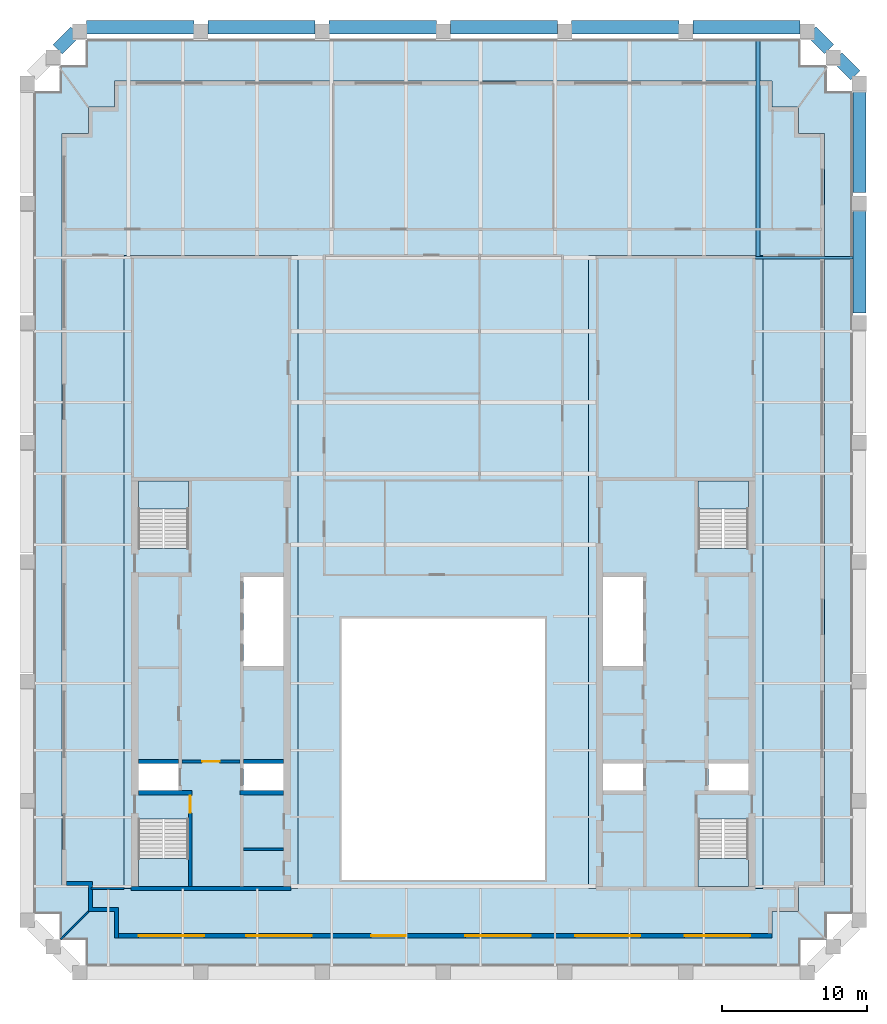
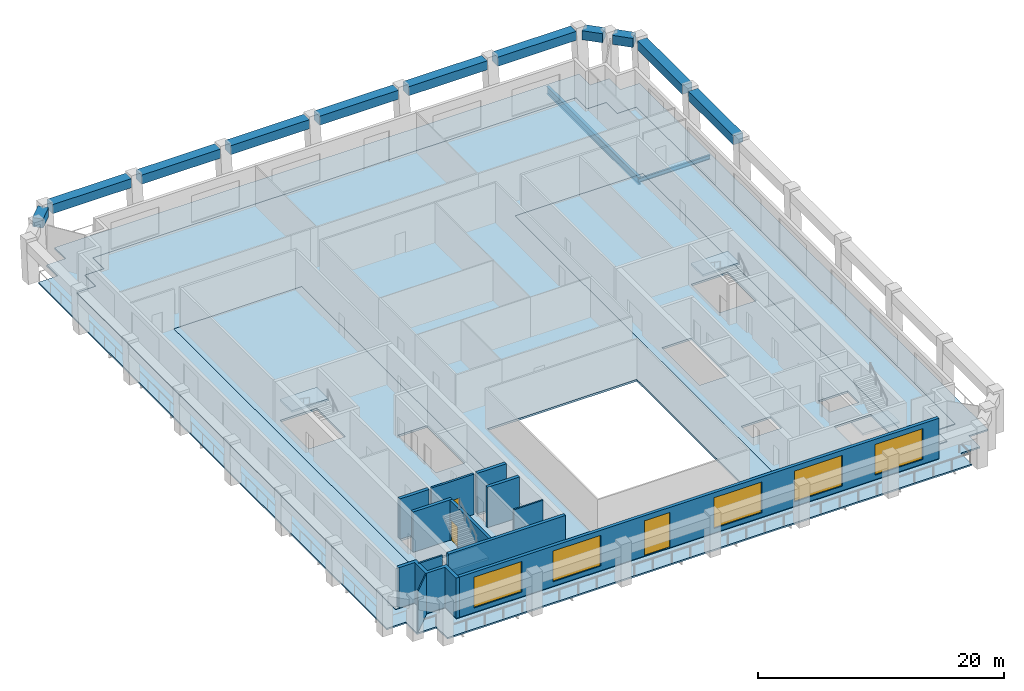
# One storey, part 2 of 7: 13 beams, 12 walls, 8 slabs, 5 windows, 3 doors, 8 openings, 4 elements without a shape of their own.
"""IFC4 building model written with IfcOpenShell, lengths in metres."""

from ifc_helpers import new_model, si_unit, direction, frame, frame_2d, origin, origin_2d, place, context, subcontext, project, spatial, polyline, rectangle, i_section, outline, extrude, material, layer, layer_set, material_profile, profile_set, type_object, element, fill, aggregate, save


model = new_model("IFC4")

# Units and contexts
model_context = context("Model", 3, precision=1e-05, world=origin(), true_north=direction((0.0, 1.0)))
body_context = subcontext(model_context, "Body", "Model", "MODEL_VIEW")
ifc_project = project(units=[si_unit("LENGTHUNIT", "METRE"), si_unit("AREAUNIT", "SQUARE_METRE"), si_unit("VOLUMEUNIT", "CUBIC_METRE"), si_unit("PLANEANGLEUNIT", "RADIAN"), si_unit("MASSUNIT", "GRAM", prefix="KILO")], contexts=[model_context])

# Site, building, storey
site_placement = place(None, origin())
site = spatial("IfcSite", under=ifc_project, at=site_placement, CompositionType="ELEMENT")
building_placement = place(site_placement, origin())
building = spatial("IfcBuilding", under=site, at=building_placement, Name="Ogive Exchange Tower", CompositionType="ELEMENT")
storey_placement = place(building_placement, frame((0.0, 0.0, 313.199951171875)))
storey = spatial("IfcBuildingStorey", under=building, at=storey_placement, Name="L68", CompositionType="ELEMENT", Elevation=313.199951171875)

# Beams
ifc_material_1 = material(Name="Steel ASTM A992 Gr50", Category="steel")
ifc_material_profile_1 = material_profile(ifc_material_1, i_section(OverallWidth=0.26708984375, OverallDepth=0.75390625, WebThickness=0.01318359375, FlangeThickness=0.01708984375, at=origin_2d()), Name="W760x147")
ifc_profile_set_1 = profile_set([ifc_material_profile_1], Name="Steel ASTM A992 Gr50")
beam_type_1 = type_object("IfcBeamType", Name="Floor beam W760x147", PredefinedType="JOIST", material=ifc_profile_set_1)
beam_1_placement = place(storey_placement, frame((21.672607421875, 40.93408203125, -0.576904296875), z_axis=(0.0, 1.0, 0.0), x_axis=(-1.0, 0.0, 0.0)))
element("IfcBeam", 1, at=beam_1_placement, inside=storey, type_object=beam_type_1, Name="Floor beam", PredefinedType="JOIST", context=body_context, shape_type="SweptSolid", body=[
    extrude(i_section(OverallWidth=0.26708984375, OverallDepth=0.75390625, WebThickness=0.01318359375, FlangeThickness=0.01708984375, at=origin_2d()), origin(), (0.0, 0.0, 1.0), 14.943115234375),
])
ifc_material_profile_2 = material_profile(ifc_material_1, i_section(OverallWidth=0.177978515625, OverallDepth=0.406005859375, WebThickness=0.0078125, FlangeThickness=0.0126953125, at=origin_2d()), Name="W410x60")
ifc_profile_set_2 = profile_set([ifc_material_profile_2], Name="Steel ASTM A992 Gr50")
beam_type_2 = type_object("IfcBeamType", Name="Girder W410x60", PredefinedType="BEAM", material=ifc_profile_set_2)
beam_2_placement = place(storey_placement, frame((21.47998046875, 40.844970703125, -0.40283203125), z_axis=(1.0, 0.0, 0.0), x_axis=(0.0, 1.0, 0.0)))
element("IfcBeam", 2, at=beam_2_placement, inside=storey, type_object=beam_type_2, Name="Header girder", PredefinedType="BEAM", context=body_context, shape_type="SweptSolid", body=[
    extrude(i_section(OverallWidth=0.177978515625, OverallDepth=0.406005859375, WebThickness=0.0078125, FlangeThickness=0.0126953125, at=origin_2d()), origin(), (0.0, 0.0, 1.0), 6.719970703125),
])
ifc_material_2 = material(Name="Precast concrete C70/85 (limestone faced)", Category="masonry")
ifc_material_profile_3 = material_profile(ifc_material_2, rectangle(XDim=0.89990234375, YDim=0.89990234375, at=origin_2d()), Name="900 x 900")
ifc_profile_set_3 = profile_set([ifc_material_profile_3], Name="Precast concrete C70/85 (limestone faced)")
beam_type_3 = type_object("IfcBeamType", Name="Precast spandrel 900 x 900 C70/85", PredefinedType="SPANDREL", material=ifc_profile_set_3)
for number, where, z_axis, x_axis, name in (
    (3, (28.64990234375, 37.043701171875, 3.5), (0.0, 1.0, 0.0), (-1.0, 0.0, 0.0), "Spandrel 14"),
    (4, (28.64990234375, 45.31640625, 3.5), (0.0, 1.0, 0.0), (-1.0, 0.0, 0.0), "Spandrel 15"),
):
    element("IfcBeam", number, at=place(storey_placement, frame(where, z_axis=z_axis, x_axis=x_axis)), inside=storey, type_object=beam_type_3, Name=name, PredefinedType="SPANDREL", context=body_context, shape_type="SweptSolid", body=[
        extrude(rectangle(XDim=0.89990234375, YDim=0.89990234375, at=origin_2d()), origin(), (0.0, 0.0, 1.0), 7.312744140625),
    ])
for number, where, z_axis, x_axis, name in (
    (5, (28.362060546875, 53.39697265625, 3.5), (-0.707106781187, 0.707106781187, 0.0), (-0.707106781187, -0.707106781187, 0.0), "Spandrel 16"),
    (6, (26.56201171875, 55.197021484375, 3.5), (-0.707106781187, 0.707106781187, 0.0), (-0.707106781187, -0.707106781187, 0.0), "Spandrel 17"),
):
    element("IfcBeam", number, at=place(storey_placement, frame(where, z_axis=z_axis, x_axis=x_axis)), inside=storey, type_object=beam_type_3, Name=name, PredefinedType="SPANDREL", context=body_context, shape_type="SweptSolid", body=[
        extrude(rectangle(XDim=0.89990234375, YDim=0.89990234375, at=origin_2d()), origin(), (0.0, 0.0, 1.0), 1.731201171875),
    ])
beam_3_placement = place(storey_placement, frame((24.570068359375, 56.708984375, 3.5), z_axis=(-1.0, 0.0, 0.0), x_axis=(0.0, -1.0, 0.0)))
element("IfcBeam", 7, at=beam_3_placement, inside=storey, type_object=beam_type_3, Name="Spandrel 18", PredefinedType="SPANDREL", context=body_context, shape_type="SweptSolid", body=[
    extrude(rectangle(XDim=0.89990234375, YDim=0.89990234375, at=origin_2d()), origin(), (0.0, 0.0, 1.0), 7.39013671875),
])
beam_4_placement = place(storey_placement, frame((16.219970703125, 56.708984375, 3.5), z_axis=(-1.0, 0.0, 0.0), x_axis=(0.0, -1.0, 0.0)))
element("IfcBeam", 8, at=beam_4_placement, inside=storey, type_object=beam_type_3, Name="Spandrel 19", PredefinedType="SPANDREL", context=body_context, shape_type="SweptSolid", body=[
    extrude(rectangle(XDim=0.89990234375, YDim=0.89990234375, at=origin_2d()), origin(), (0.0, 0.0, 1.0), 7.389892578125),
])
for number, where, z_axis, x_axis, name in (
    (9, (7.8701171875, 56.708984375, 3.5), (-1.0, 0.0, 0.0), (0.0, -1.0, 0.0), "Spandrel 20"),
    (10, (-0.47998046875, 56.708984375, 3.5), (-1.0, 0.0, 0.0), (0.0, -1.0, 0.0), "Spandrel 21"),
):
    element("IfcBeam", number, at=place(storey_placement, frame(where, z_axis=z_axis, x_axis=x_axis)), inside=storey, type_object=beam_type_3, Name=name, PredefinedType="SPANDREL", context=body_context, shape_type="SweptSolid", body=[
        extrude(rectangle(XDim=0.89990234375, YDim=0.89990234375, at=origin_2d()), origin(), (0.0, 0.0, 1.0), 7.39013671875),
    ])
beam_5_placement = place(storey_placement, frame((-8.830078125, 56.708984375, 3.5), z_axis=(-1.0, 0.0, 0.0), x_axis=(0.0, -1.0, 0.0)))
element("IfcBeam", 11, at=beam_5_placement, inside=storey, type_object=beam_type_3, Name="Spandrel 22", PredefinedType="SPANDREL", context=body_context, shape_type="SweptSolid", body=[
    extrude(rectangle(XDim=0.89990234375, YDim=0.89990234375, at=origin_2d()), origin(), (0.0, 0.0, 1.0), 7.389892578125),
])
beam_6_placement = place(storey_placement, frame((-17.179931640625, 56.708984375, 3.5), z_axis=(-1.0, 0.0, 0.0), x_axis=(0.0, -1.0, 0.0)))
element("IfcBeam", 12, at=beam_6_placement, inside=storey, type_object=beam_type_3, Name="Spandrel 23", PredefinedType="SPANDREL", context=body_context, shape_type="SweptSolid", body=[
    extrude(rectangle(XDim=0.89990234375, YDim=0.89990234375, at=origin_2d()), origin(), (0.0, 0.0, 1.0), 7.39013671875),
])
beam_7_placement = place(storey_placement, frame((-25.337890625, 56.421142578125, 3.5), z_axis=(-0.707106781187, -0.707106781187, 0.0), x_axis=(0.707106781187, -0.707106781187, 0.0)))
element("IfcBeam", 13, at=beam_7_placement, inside=storey, type_object=beam_type_3, Name="Spandrel 24", PredefinedType="SPANDREL", context=body_context, shape_type="SweptSolid", body=[
    extrude(rectangle(XDim=0.89990234375, YDim=0.89990234375, at=origin_2d()), origin(), (0.0, 0.0, 1.0), 1.731201171875),
])

# Slabs
ifc_material_3 = material(Name="Concrete C50/60", Category="concrete")
ifc_layer_1 = layer(ifc_material_3, 0.199951171875)
ifc_layer_set_1 = layer_set([ifc_layer_1], Name="Composite floor slab 200")
slab_type_1 = type_object("IfcSlabType", Name="Composite floor slab 200", PredefinedType="FLOOR", material=ifc_layer_set_1)
slab_1_placement = place(storey_placement, frame((0.0, 0.0, -0.199951171875)))
element("IfcSlab", 14, at=slab_1_placement, inside=storey, type_object=slab_type_1, Name="Composite floor slab", PredefinedType="FLOOR", context=body_context, shape_type="SweptSolid", body=[
    extrude(outline(polyline([(-22.64990234375, -4.199951171875), (-24.449951171875, -4.199951171875), (-24.449951171875, -2.39990234375), (-26.25, -2.39990234375), (-26.25, 49.39990234375), (-24.449951171875, 49.39990234375), (-24.449951171875, 51.199951171875), (-22.64990234375, 51.199951171875), (-22.64990234375, 53.0), (22.64990234375, 53.0), (22.64990234375, 51.199951171875), (24.449951171875, 51.199951171875), (24.449951171875, 49.39990234375), (26.25, 49.39990234375), (26.25, -2.39990234375), (24.449951171875, -2.39990234375), (24.449951171875, -4.199951171875), (22.64990234375, -4.199951171875), (22.64990234375, -6.0), (-22.64990234375, -6.0), (-22.64990234375, -4.199951171875)]), holes=[polyline([(7.0, -2.0), (7.0, 16.0), (-7.0, 16.0), (-7.0, -2.0), (7.0, -2.0)]), polyline([(-22.0, -2.60009765625), (-10.0, -2.60009765625), (-10.0, 41.0), (-22.0, 41.0), (-22.0, -2.60009765625)]), polyline([(10.0, -2.60009765625), (22.0, -2.60009765625), (22.0, 41.0), (10.0, 41.0), (10.0, -2.60009765625)])]), origin(), (0.0, 0.0, 1.0), 0.199951171875),
])
ifc_material_4 = material(Name="Concrete C70/85", Category="concrete")
ifc_layer_2 = layer(ifc_material_4, 0.199951171875)
ifc_layer_set_2 = layer_set([ifc_layer_2], Name="Core floor slab 200")
slab_type_2 = type_object("IfcSlabType", Name="Core floor slab 200", PredefinedType="FLOOR", material=ifc_layer_set_2)
slab_2_placement = place(storey_placement, frame((0.0, 0.0, -0.199951171875)))
element("IfcSlab", 15, at=slab_2_placement, inside=storey, type_object=slab_type_2, Name="Core floor slab", PredefinedType="FLOOR", context=body_context, shape_type="SweptSolid", body=[
    extrude(outline(polyline([(-22.0, -2.60009765625), (-22.0, 41.0), (-10.0, 41.0), (-10.0, -2.60009765625), (-22.0, -2.60009765625)]), holes=[polyline([(-17.550048828125, 2.196044921875), (-21.0, 2.196044921875), (-21.0, -2.449951171875), (-17.550048828125, -2.449951171875), (-17.550048828125, 2.196044921875)]), polyline([(-21.0, 5.992919921875), (-21.0, 4.14990234375), (-18.25, 4.14990234375), (-18.25, 5.992919921875), (-21.0, 5.992919921875)]), polyline([(-13.75, 5.992919921875), (-13.75, 4.14990234375), (-11.0, 4.14990234375), (-11.0, 5.992919921875), (-13.75, 5.992919921875)]), polyline([(-11.0, 18.85009765625), (-13.75, 18.85009765625), (-13.75, 12.721435546875), (-11.0, 12.721435546875), (-11.0, 18.85009765625)]), polyline([(-21.0, 25.449951171875), (-21.0, 20.803955078125), (-17.550048828125, 20.803955078125), (-17.550048828125, 25.449951171875), (-21.0, 25.449951171875)])]), origin(), (0.0, 0.0, 1.0), 0.199951171875),
])
slab_3_placement = place(storey_placement, frame((0.0, 0.0, -0.199951171875)))
element("IfcSlab", 16, at=slab_3_placement, inside=storey, type_object=slab_type_2, Name="Core floor slab", PredefinedType="FLOOR", context=body_context, shape_type="SweptSolid", body=[
    extrude(outline(polyline([(10.0, -2.60009765625), (10.0, 41.0), (22.0, 41.0), (22.0, -2.60009765625), (10.0, -2.60009765625)]), holes=[polyline([(21.0, 2.196044921875), (17.550048828125, 2.196044921875), (17.550048828125, -2.449951171875), (21.0, -2.449951171875), (21.0, 2.196044921875)]), polyline([(11.0, 5.992919921875), (11.0, 4.14990234375), (13.75, 4.14990234375), (13.75, 5.992919921875), (11.0, 5.992919921875)]), polyline([(18.25, 5.992919921875), (18.25, 4.14990234375), (21.0, 4.14990234375), (21.0, 5.992919921875), (18.25, 5.992919921875)]), polyline([(13.75, 18.85009765625), (11.0, 18.85009765625), (11.0, 12.721435546875), (13.75, 12.721435546875), (13.75, 18.85009765625)]), polyline([(17.550048828125, 25.449951171875), (17.550048828125, 20.803955078125), (21.0, 20.803955078125), (21.0, 25.449951171875), (17.550048828125, 25.449951171875)])]), origin(), (0.0, 0.0, 1.0), 0.199951171875),
])
ifc_layer_3 = layer(ifc_material_3, 0.14990234375)
ifc_layer_set_3 = layer_set([ifc_layer_3], Name="Loggia deck 150")
slab_type_3 = type_object("IfcSlabType", Name="Loggia deck 150", PredefinedType="FLOOR", material=ifc_layer_set_3)
slab_4_placement = place(storey_placement, frame((0.0, 0.0, -0.199951171875)))
element("IfcSlab", 17, at=slab_4_placement, inside=storey, type_object=slab_type_3, Name="Loggia deck", PredefinedType="FLOOR", context=body_context, shape_type="SweptSolid", body=[
    extrude(outline(polyline([(-24.60009765625, -6.14990234375), (-26.39990234375, -6.14990234375), (-26.39990234375, -4.35009765625), (-28.199951171875, -4.35009765625), (-28.199951171875, 52.27734375), (-26.39990234375, 52.27734375), (-26.39990234375, 54.077392578125), (-24.60009765625, 54.077392578125), (-24.60009765625, 55.877197265625), (24.60009765625, 55.877197265625), (24.60009765625, 54.077392578125), (26.39990234375, 54.077392578125), (26.39990234375, 52.27734375), (28.199951171875, 52.27734375), (28.199951171875, -4.35009765625), (26.39990234375, -4.35009765625), (26.39990234375, -6.14990234375), (24.60009765625, -6.14990234375), (24.60009765625, -7.949951171875), (-24.60009765625, -7.949951171875), (-24.60009765625, -6.14990234375)]), holes=[polyline([(22.64990234375, -4.199951171875), (24.449951171875, -4.199951171875), (24.449951171875, -2.39990234375), (26.25, -2.39990234375), (26.25, 49.39990234375), (24.449951171875, 49.39990234375), (24.449951171875, 51.199951171875), (22.64990234375, 51.199951171875), (22.64990234375, 53.0), (-22.64990234375, 53.0), (-22.64990234375, 51.199951171875), (-24.449951171875, 51.199951171875), (-24.449951171875, 49.39990234375), (-26.25, 49.39990234375), (-26.25, -2.39990234375), (-24.449951171875, -2.39990234375), (-24.449951171875, -4.199951171875), (-22.64990234375, -4.199951171875), (-22.64990234375, -6.0), (22.64990234375, -6.0), (22.64990234375, -4.199951171875)])]), origin(), (0.0, 0.0, 1.0), 0.14990234375),
])

# Stair, slab
ifc_material_5 = material(Name="Concrete C40/50", Category="concrete")
stair_type = type_object("IfcStairType", Name="Exit stair 1650 wide", PredefinedType="HALF_TURN_STAIR", material=ifc_material_5)
stair_1_placement = place(storey_placement, origin())
stair_1 = element("IfcStair", 18, at=stair_1_placement, inside=storey, type_object=stair_type, Name="L68 exit stair ST1", PredefinedType="HALF_TURN_STAIR")
ifc_layer_4 = layer(ifc_material_5, 0.199951171875)
ifc_layer_set_4 = layer_set([ifc_layer_4], Name="Stair landing 200 slab")
slab_type_4 = type_object("IfcSlabType", Name="Stair landing 200 slab", PredefinedType="LANDING", material=ifc_layer_set_4)
slab_5_placement = place(storey_placement, frame((0.0, 0.0, 1.900146484375)))
slab_5 = element("IfcSlab", 19, at=slab_5_placement, type_object=slab_type_4, Name="ST1 landing 1", PredefinedType="LANDING", context=body_context, shape_type="SweptSolid", body=[
    extrude(outline(polyline([(-21.0, -0.550048828125), (-21.0, -2.449951171875), (-17.550048828125, -2.449951171875), (-17.550048828125, -0.550048828125), (-21.0, -0.550048828125)])), origin(), (0.0, 0.0, 1.0), 0.199951171875),
])
aggregate(stair_1, [slab_5])

stair_2_placement = place(storey_placement, origin())
stair_2 = element("IfcStair", 20, at=stair_2_placement, inside=storey, type_object=stair_type, Name="L68 exit stair ST2", PredefinedType="HALF_TURN_STAIR")
slab_6_placement = place(storey_placement, frame((0.0, 0.0, 1.900146484375)))
slab_6 = element("IfcSlab", 21, at=slab_6_placement, type_object=slab_type_4, Name="ST2 landing 1", PredefinedType="LANDING", context=body_context, shape_type="SweptSolid", body=[
    extrude(outline(polyline([(-17.550048828125, 23.550048828125), (-17.550048828125, 25.449951171875), (-21.0, 25.449951171875), (-21.0, 23.550048828125), (-17.550048828125, 23.550048828125)])), origin(), (0.0, 0.0, 1.0), 0.199951171875),
])
aggregate(stair_2, [slab_6])

stair_3_placement = place(storey_placement, origin())
stair_3 = element("IfcStair", 22, at=stair_3_placement, inside=storey, type_object=stair_type, Name="L68 exit stair ST3", PredefinedType="HALF_TURN_STAIR")
slab_7_placement = place(storey_placement, frame((0.0, 0.0, 1.900146484375)))
slab_7 = element("IfcSlab", 23, at=slab_7_placement, type_object=slab_type_4, Name="ST3 landing 1", PredefinedType="LANDING", context=body_context, shape_type="SweptSolid", body=[
    extrude(outline(polyline([(17.550048828125, -0.550048828125), (17.550048828125, -2.449951171875), (21.0, -2.449951171875), (21.0, -0.550048828125), (17.550048828125, -0.550048828125)])), origin(), (0.0, 0.0, 1.0), 0.199951171875),
])
aggregate(stair_3, [slab_7])

stair_4_placement = place(storey_placement, origin())
stair_4 = element("IfcStair", 24, at=stair_4_placement, inside=storey, type_object=stair_type, Name="L68 exit stair ST4", PredefinedType="HALF_TURN_STAIR")
slab_8_placement = place(storey_placement, frame((0.0, 0.0, 1.900146484375)))
slab_8 = element("IfcSlab", 25, at=slab_8_placement, type_object=slab_type_4, Name="ST4 landing 1", PredefinedType="LANDING", context=body_context, shape_type="SweptSolid", body=[
    extrude(outline(polyline([(21.0, 23.550048828125), (21.0, 25.449951171875), (17.550048828125, 25.449951171875), (17.550048828125, 23.550048828125), (21.0, 23.550048828125)])), origin(), (0.0, 0.0, 1.0), 0.199951171875),
])
aggregate(stair_4, [slab_8])

# Walls
ifc_material_6 = material(Name="Gypsum board partition")
ifc_layer_5 = layer(ifc_material_6, 0.14990234375)
ifc_layer_set_5 = layer_set([ifc_layer_5], Name="Core room partition 150 gypsum")
wall_type_1 = type_object("IfcWallType", Name="Core room partition 150 gypsum", PredefinedType="PARTITIONING", material=ifc_layer_set_5)
wall_1_placement = place(storey_placement, frame((-13.75, 0.10009765625, 0.0), z_axis=(0.0, 0.0, 1.0), x_axis=(1.0, 0.0, 0.0)))
element("IfcWall", 26, at=wall_1_placement, inside=storey, type_object=wall_type_1, Name="W south room partition", PredefinedType="PARTITIONING", context=body_context, shape_type="SweptSolid", body=[
    extrude(rectangle(XDim=2.75, YDim=0.14990234375, at=frame_2d((1.375, 0.0))), origin(), (0.0, 0.0, 1.0), 4.0),
])
ifc_material_7 = material(Name="Fire partition EI 60 150")
ifc_layer_6 = layer(ifc_material_7, 0.14990234375)
ifc_layer_set_6 = layer_set([ifc_layer_6], Name="Fire partition EI 60 150")
wall_type_2 = type_object("IfcWallType", Name="Fire partition EI 60 150", PredefinedType="PARTITIONING", material=ifc_layer_set_6)
wall_2_placement = place(storey_placement, frame((-24.25, -2.60009765625, 0.0), z_axis=(0.0, 0.0, 1.0), x_axis=(1.0, 0.0, 0.0)))
element("IfcWall", 27, at=wall_2_placement, inside=storey, type_object=wall_type_2, Name="L68-PWL-002", PredefinedType="PARTITIONING", context=body_context, shape_type="SweptSolid", body=[
    extrude(rectangle(XDim=2.25, YDim=0.14990234375, at=frame_2d((1.125, 0.0))), origin(), (0.0, 0.0, 1.0), 4.0),
])

# Wall, openings, door, windows
ifc_material_8 = material(Name="Precast concrete C40/50", Category="concrete")
ifc_layer_7 = layer(ifc_material_8, 0.300048828125)
ifc_layer_set_7 = layer_set([ifc_layer_7], Name="Limestone-faced wall 300")
wall_type_3 = type_object("IfcWallType", Name="Limestone-faced wall 300", PredefinedType="STANDARD", material=ifc_layer_set_7)
wall_3_placement = place(storey_placement, frame((-22.35009765625, -5.85009765625, 0.0), z_axis=(0.0, 0.0, 1.0), x_axis=(1.0, 0.0, 0.0)))
wall_3 = element("IfcWall", 28, at=wall_3_placement, inside=storey, type_object=wall_type_3, Name="External wall S1", PredefinedType="STANDARD", context=body_context, shape_type="SweptSolid", body=[
    extrude(rectangle(XDim=45.0, YDim=0.300048828125, at=frame_2d((22.5, 0.0))), origin(), (0.0, 0.0, 1.0), 4.0),
])
opening_1_placement = place(wall_3_placement, frame((1.375, 0.0, 0.449951171875)))
opening_1 = element("IfcOpeningElement", 29, at=opening_1_placement, cuts=wall_3, Name="Opening W1", PredefinedType="OPENING", context=body_context, shape_type="SweptSolid", body=[
    extrude(rectangle(XDim=4.5, YDim=3.050048828125, at=frame_2d((2.25, 1.52490234375))), frame((0.0, 0.159912109375, 0.0), z_axis=(0.0, -1.0, 0.0), x_axis=(1.0, 0.0, 0.0)), (0.0, 0.0, 1.0), 0.320068359375),
])
opening_2_placement = place(wall_3_placement, frame((8.77490234375, 0.0, 0.449951171875)))
opening_2 = element("IfcOpeningElement", 30, at=opening_2_placement, cuts=wall_3, Name="Opening W1", PredefinedType="OPENING", context=body_context, shape_type="SweptSolid", body=[
    extrude(rectangle(XDim=4.5, YDim=3.050048828125, at=frame_2d((2.25, 1.52490234375))), frame((0.0, 0.159912109375, 0.0), z_axis=(0.0, -1.0, 0.0), x_axis=(1.0, 0.0, 0.0)), (0.0, 0.0, 1.0), 0.320068359375),
])
opening_3_placement = place(wall_3_placement, frame((17.375, 0.0, 0.0)))
opening_3 = element("IfcOpeningElement", 31, at=opening_3_placement, cuts=wall_3, Name="Opening D1", PredefinedType="OPENING", context=body_context, shape_type="SweptSolid", body=[
    extrude(rectangle(XDim=2.39990234375, YDim=3.5, at=frame_2d((1.199951171875, 1.75))), frame((0.0, 0.159912109375, 0.0), z_axis=(0.0, -1.0, 0.0), x_axis=(1.0, 0.0, 0.0)), (0.0, 0.0, 1.0), 0.320068359375),
])
opening_4_placement = place(wall_3_placement, frame((23.875, 0.0, 0.449951171875)))
opening_4 = element("IfcOpeningElement", 32, at=opening_4_placement, cuts=wall_3, Name="Opening W1", PredefinedType="OPENING", context=body_context, shape_type="SweptSolid", body=[
    extrude(rectangle(XDim=4.5, YDim=3.050048828125, at=frame_2d((2.25, 1.52490234375))), frame((0.0, 0.159912109375, 0.0), z_axis=(0.0, -1.0, 0.0), x_axis=(1.0, 0.0, 0.0)), (0.0, 0.0, 1.0), 0.320068359375),
])
opening_5_placement = place(wall_3_placement, frame((31.425048828125, 0.0, 0.449951171875)))
opening_5 = element("IfcOpeningElement", 33, at=opening_5_placement, cuts=wall_3, Name="Opening W1", PredefinedType="OPENING", context=body_context, shape_type="SweptSolid", body=[
    extrude(rectangle(XDim=4.5, YDim=3.050048828125, at=frame_2d((2.25, 1.52490234375))), frame((0.0, 0.159912109375, 0.0), z_axis=(0.0, -1.0, 0.0), x_axis=(1.0, 0.0, 0.0)), (0.0, 0.0, 1.0), 0.320068359375),
])
opening_6_placement = place(wall_3_placement, frame((38.97509765625, 0.0, 0.449951171875)))
opening_6 = element("IfcOpeningElement", 34, at=opening_6_placement, cuts=wall_3, Name="Opening W1", PredefinedType="OPENING", context=body_context, shape_type="SweptSolid", body=[
    extrude(rectangle(XDim=4.5, YDim=3.050048828125, at=frame_2d((2.25, 1.52490234375))), frame((0.0, 0.159912109375, 0.0), z_axis=(0.0, -1.0, 0.0), x_axis=(1.0, 0.0, 0.0)), (0.0, 0.0, 1.0), 0.320068359375),
])
ifc_material_9 = material(Name="Clear glass in bronze frame", Category="glass")
door_type_1 = type_object("IfcDoorType", Name="Sliding loggia door 2400 x 3500", OperationType="DOUBLE_DOOR_SLIDING", PredefinedType="DOOR", material=ifc_material_9)
door_1_placement = place(opening_3_placement, origin())
door_1 = element("IfcDoor", 35, at=door_1_placement, inside=storey, type_object=door_type_1, Name="Loggia door S02", OperationType="DOUBLE_DOOR_SLIDING", OverallHeight=3.5, OverallWidth=2.39990234375, PredefinedType="DOOR", context=body_context, shape_type="SweptSolid", body=[
    extrude(rectangle(XDim=2.39990234375, YDim=3.5, at=frame_2d((1.199951171875, 1.75))), frame((0.0, 0.02490234375, 0.0), z_axis=(0.0, -1.0, 0.0), x_axis=(1.0, 0.0, 0.0)), (0.0, 0.0, 1.0), 0.050048828125),
])
fill(opening_3, door_1)
window_type = type_object("IfcWindowType", Name="Twin lancet window 4500 x 3050", PartitioningType="DOUBLE_PANEL_VERTICAL", PredefinedType="WINDOW", material=ifc_material_9)
window_1_placement = place(opening_1_placement, origin())
window_1 = element("IfcWindow", 36, at=window_1_placement, inside=storey, type_object=window_type, Name="Window S00", OverallHeight=3.050048828125, OverallWidth=4.5, PartitioningType="DOUBLE_PANEL_VERTICAL", PredefinedType="WINDOW", context=body_context, shape_type="SweptSolid", body=[
    extrude(rectangle(XDim=4.5, YDim=3.050048828125, at=frame_2d((2.25, 1.52490234375))), frame((0.0, 0.030029296875, 0.0), z_axis=(0.0, -1.0, 0.0), x_axis=(1.0, 0.0, 0.0)), (0.0, 0.0, 1.0), 0.06005859375),
])
fill(opening_1, window_1)
window_2_placement = place(opening_2_placement, origin())
window_2 = element("IfcWindow", 37, at=window_2_placement, inside=storey, type_object=window_type, Name="Window S01", OverallHeight=3.050048828125, OverallWidth=4.5, PartitioningType="DOUBLE_PANEL_VERTICAL", PredefinedType="WINDOW", context=body_context, shape_type="SweptSolid", body=[
    extrude(rectangle(XDim=4.5, YDim=3.050048828125, at=frame_2d((2.25, 1.52490234375))), frame((0.0, 0.030029296875, 0.0), z_axis=(0.0, -1.0, 0.0), x_axis=(1.0, 0.0, 0.0)), (0.0, 0.0, 1.0), 0.06005859375),
])
fill(opening_2, window_2)
window_3_placement = place(opening_4_placement, origin())
window_3 = element("IfcWindow", 38, at=window_3_placement, inside=storey, type_object=window_type, Name="Window S03", OverallHeight=3.050048828125, OverallWidth=4.5, PartitioningType="DOUBLE_PANEL_VERTICAL", PredefinedType="WINDOW", context=body_context, shape_type="SweptSolid", body=[
    extrude(rectangle(XDim=4.5, YDim=3.050048828125, at=frame_2d((2.25, 1.52490234375))), frame((0.0, 0.030029296875, 0.0), z_axis=(0.0, -1.0, 0.0), x_axis=(1.0, 0.0, 0.0)), (0.0, 0.0, 1.0), 0.06005859375),
])
fill(opening_4, window_3)
window_4_placement = place(opening_5_placement, origin())
window_4 = element("IfcWindow", 39, at=window_4_placement, inside=storey, type_object=window_type, Name="Window S04", OverallHeight=3.050048828125, OverallWidth=4.5, PartitioningType="DOUBLE_PANEL_VERTICAL", PredefinedType="WINDOW", context=body_context, shape_type="SweptSolid", body=[
    extrude(rectangle(XDim=4.5, YDim=3.050048828125, at=frame_2d((2.25, 1.52490234375))), frame((0.0, 0.030029296875, 0.0), z_axis=(0.0, -1.0, 0.0), x_axis=(1.0, 0.0, 0.0)), (0.0, 0.0, 1.0), 0.06005859375),
])
fill(opening_5, window_4)
window_5_placement = place(opening_6_placement, origin())
window_5 = element("IfcWindow", 40, at=window_5_placement, inside=storey, type_object=window_type, Name="Window S05", OverallHeight=3.050048828125, OverallWidth=4.5, PartitioningType="DOUBLE_PANEL_VERTICAL", PredefinedType="WINDOW", context=body_context, shape_type="SweptSolid", body=[
    extrude(rectangle(XDim=4.5, YDim=3.050048828125, at=frame_2d((2.25, 1.52490234375))), frame((0.0, 0.030029296875, 0.0), z_axis=(0.0, -1.0, 0.0), x_axis=(1.0, 0.0, 0.0)), (0.0, 0.0, 1.0), 0.06005859375),
])
fill(opening_6, window_5)

# Walls
wall_4_placement = place(storey_placement, origin())
element("IfcWall", 41, at=wall_4_placement, inside=storey, type_object=wall_type_3, Name="External corner wall C4", PredefinedType="STANDARD", context=body_context, shape_type="SweptSolid", body=[
    extrude(outline(polyline([(-22.64990234375, -4.199951171875), (-24.449951171875, -4.199951171875), (-24.449951171875, -2.39990234375), (-25.949951171875, -2.39990234375), (-25.949951171875, -2.10009765625), (-24.14990234375, -2.10009765625), (-24.14990234375, -3.89990234375), (-22.35009765625, -3.89990234375), (-22.35009765625, -6.0), (-22.64990234375, -6.0), (-22.64990234375, -4.199951171875)])), origin(), (0.0, 0.0, 1.0), 4.0),
])
ifc_material_10 = material(Name="Laminated safety glass in steel frame", Category="steel")
ifc_layer_8 = layer(ifc_material_10, 0.10009765625)
ifc_layer_set_8 = layer_set([ifc_layer_8], Name="Loggia end screen 100")
wall_type_4 = type_object("IfcWallType", Name="Loggia end screen 100", PredefinedType="STANDARD", material=ifc_layer_set_8)
wall_5_placement = place(storey_placement, frame((-24.449951171875, -4.199951171875, -0.050048828125), z_axis=(0.0, 0.0, 1.0), x_axis=(-0.707106781187, -0.707106781187, 0.0)))
element("IfcWall", 42, at=wall_5_placement, inside=storey, type_object=wall_type_4, Name="Loggia end screen C4", PredefinedType="STANDARD", context=body_context, shape_type="SweptSolid", body=[
    extrude(rectangle(XDim=2.667236328125, YDim=0.10009765625, at=frame_2d((1.33349609375, 0.0))), origin(), (0.0, 0.0, 1.0), 4.050048828125),
])

# Wall, opening, door
ifc_layer_9 = layer(ifc_material_4, 0.199951171875)
ifc_layer_set_9 = layer_set([ifc_layer_9], Name="RC core wall 200 C70/85")
wall_type_5 = type_object("IfcWallType", Name="RC core wall 200 C70/85", PredefinedType="SHEAR", material=ifc_layer_set_9)
wall_6_placement = place(storey_placement, frame((-18.0, 6.142822265625, 0.0), z_axis=(0.0, 0.0, 1.0), x_axis=(1.0, 0.0, 0.0)))
wall_6 = element("IfcWall", 43, at=wall_6_placement, inside=storey, type_object=wall_type_5, Name="W firefighting lobby wall", PredefinedType="SHEAR", context=body_context, shape_type="SweptSolid", body=[
    extrude(rectangle(XDim=4.0, YDim=0.199951171875, at=frame_2d((2.0, 0.0))), origin(), (0.0, 0.0, 1.0), 4.0),
])
opening_7_placement = place(wall_6_placement, frame((1.39990234375, 0.0, 0.0)))
opening_7 = element("IfcOpeningElement", 44, at=opening_7_placement, cuts=wall_6, Name="Opening L68-C09", PredefinedType="OPENING", context=body_context, shape_type="SweptSolid", body=[
    extrude(rectangle(XDim=1.199951171875, YDim=2.10009765625, at=frame_2d((0.60009765625, 1.050048828125))), frame((0.0, 0.10986328125, 0.0), z_axis=(0.0, -1.0, 0.0), x_axis=(1.0, 0.0, 0.0)), (0.0, 0.0, 1.0), 0.219970703125),
])
ifc_material_11 = material(Name="Steel fire door", Category="steel")
door_type_2 = type_object("IfcDoorType", Name="Firefighting lobby door FD60 1200 x 2100", OperationType="NOTDEFINED", PredefinedType="DOOR", material=ifc_material_11)
door_2_placement = place(opening_7_placement, frame((1.199951171875, 0.0, 0.0), z_axis=(0.0, 0.0, 1.0), x_axis=(-1.0, 0.0, 0.0)))
door_2 = element("IfcDoor", 45, at=door_2_placement, inside=storey, type_object=door_type_2, Name="Firefighting lobby door", ObjectType="CD3", OperationType="SINGLE_SWING_RIGHT", OverallHeight=2.10009765625, OverallWidth=1.199951171875, PredefinedType="DOOR", context=body_context, shape_type="SweptSolid", body=[
    extrude(rectangle(XDim=1.199951171875, YDim=2.10009765625, at=frame_2d((0.60009765625, 1.050048828125))), frame((0.0, 0.02490234375, 0.0), z_axis=(0.0, -1.0, 0.0), x_axis=(1.0, 0.0, 0.0)), (0.0, 0.0, 1.0), 0.050048828125),
])
fill(opening_7, door_2)

ifc_layer_10 = layer(ifc_material_4, 0.25)
ifc_layer_set_10 = layer_set([ifc_layer_10], Name="RC core wall 250 C70/85")
wall_type_6 = type_object("IfcWallType", Name="RC core wall 250 C70/85", PredefinedType="SHEAR", material=ifc_layer_set_10)
wall_7_placement = place(storey_placement, frame((-17.425048828125, -2.449951171875, 0.0), z_axis=(0.0, 0.0, 1.0), x_axis=(0.0, 1.0, 0.0)))
wall_7 = element("IfcWall", 46, at=wall_7_placement, inside=storey, type_object=wall_type_6, Name="W stair S front wall", PredefinedType="SHEAR", context=body_context, shape_type="SweptSolid", body=[
    extrude(rectangle(XDim=6.300048828125, YDim=0.25, at=frame_2d((3.14990234375, 0.0))), origin(), (0.0, 0.0, 1.0), 4.0),
])
opening_8_placement = place(wall_7_placement, frame((5.050048828125, 0.0, 0.0)))
opening_8 = element("IfcOpeningElement", 47, at=opening_8_placement, cuts=wall_7, Name="Opening L68-C11", PredefinedType="OPENING", context=body_context, shape_type="SweptSolid", body=[
    extrude(rectangle(XDim=1.199951171875, YDim=2.10009765625, at=frame_2d((0.60009765625, 1.050048828125))), frame((0.0, 0.135009765625, 0.0), z_axis=(0.0, -1.0, 0.0), x_axis=(1.0, 0.0, 0.0)), (0.0, 0.0, 1.0), 0.27001953125),
])
door_type_3 = type_object("IfcDoorType", Name="Stair door FD90 1200 x 2100", OperationType="NOTDEFINED", PredefinedType="DOOR", material=ifc_material_11)
door_3_placement = place(opening_8_placement, origin())
door_3 = element("IfcDoor", 48, at=door_3_placement, inside=storey, type_object=door_type_3, Name="Stair door", ObjectType="CD5", OperationType="SINGLE_SWING_LEFT", OverallHeight=2.10009765625, OverallWidth=1.199951171875, PredefinedType="DOOR", context=body_context, shape_type="SweptSolid", body=[
    extrude(rectangle(XDim=1.199951171875, YDim=2.10009765625, at=frame_2d((0.60009765625, 1.050048828125))), frame((0.0, 0.02490234375, 0.0), z_axis=(0.0, -1.0, 0.0), x_axis=(1.0, 0.0, 0.0)), (0.0, 0.0, 1.0), 0.050048828125),
])
fill(opening_8, door_3)

# Walls
ifc_layer_11 = layer(ifc_material_4, 0.300048828125)
ifc_layer_set_11 = layer_set([ifc_layer_11], Name="RC core wall 300 C70/85")
wall_type_7 = type_object("IfcWallType", Name="RC core wall 300 C70/85", PredefinedType="SHEAR", material=ifc_layer_set_11)
wall_8_placement = place(storey_placement, frame((-21.5, -2.60009765625, 0.0), z_axis=(0.0, 0.0, 1.0), x_axis=(1.0, 0.0, 0.0)))
element("IfcWall", 49, at=wall_8_placement, inside=storey, type_object=wall_type_7, Name="W south end wall", PredefinedType="SHEAR", context=body_context, shape_type="SweptSolid", body=[
    extrude(rectangle(XDim=11.0, YDim=0.300048828125, at=frame_2d((5.5, 0.0))), origin(), (0.0, 0.0, 1.0), 4.0),
])
wall_9_placement = place(storey_placement, frame((-21.0, 4.0, 0.0), z_axis=(0.0, 0.0, 1.0), x_axis=(1.0, 0.0, 0.0)))
element("IfcWall", 50, at=wall_9_placement, inside=storey, type_object=wall_type_7, Name="W stair S north wall", PredefinedType="SHEAR", context=body_context, shape_type="SweptSolid", body=[
    extrude(rectangle(XDim=3.699951171875, YDim=0.300048828125, at=frame_2d((1.85009765625, 0.0))), origin(), (0.0, 0.0, 1.0), 4.0),
])
wall_10_placement = place(storey_placement, frame((-21.0, 6.142822265625, 0.0), z_axis=(0.0, 0.0, 1.0), x_axis=(1.0, 0.0, 0.0)))
element("IfcWall", 51, at=wall_10_placement, inside=storey, type_object=wall_type_7, Name="W row A divider 1", PredefinedType="SHEAR", context=body_context, shape_type="SweptSolid", body=[
    extrude(rectangle(XDim=2.75, YDim=0.300048828125, at=frame_2d((1.375, 0.0))), origin(), (0.0, 0.0, 1.0), 4.0),
])
wall_11_placement = place(storey_placement, frame((-14.0, 4.0, 0.0), z_axis=(0.0, 0.0, 1.0), x_axis=(1.0, 0.0, 0.0)))
element("IfcWall", 52, at=wall_11_placement, inside=storey, type_object=wall_type_7, Name="W row B divider 0", PredefinedType="SHEAR", context=body_context, shape_type="SweptSolid", body=[
    extrude(rectangle(XDim=3.0, YDim=0.300048828125, at=frame_2d((1.5, 0.0))), origin(), (0.0, 0.0, 1.0), 4.0),
])
wall_12_placement = place(storey_placement, frame((-13.75, 6.142822265625, 0.0), z_axis=(0.0, 0.0, 1.0), x_axis=(1.0, 0.0, 0.0)))
element("IfcWall", 53, at=wall_12_placement, inside=storey, type_object=wall_type_7, Name="W row B divider 1", PredefinedType="SHEAR", context=body_context, shape_type="SweptSolid", body=[
    extrude(rectangle(XDim=2.75, YDim=0.300048828125, at=frame_2d((1.375, 0.0))), origin(), (0.0, 0.0, 1.0), 4.0),
])

save(model, "model.ifc")
